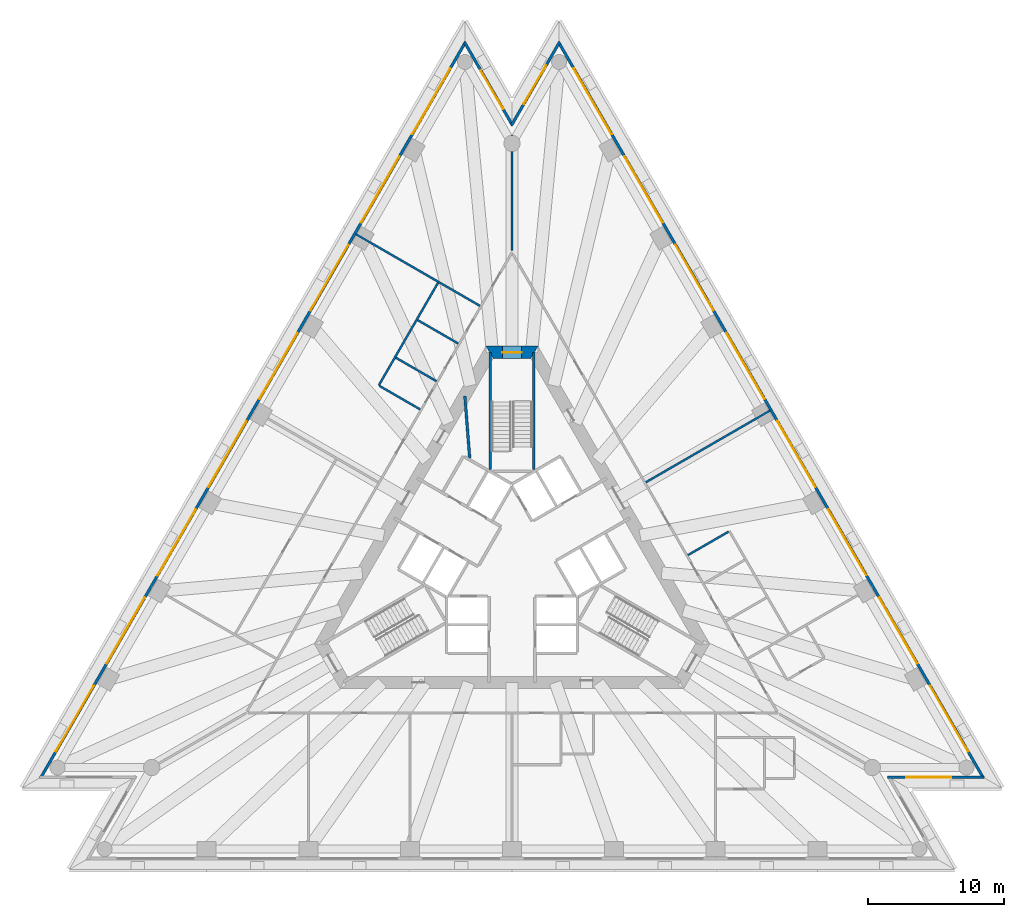
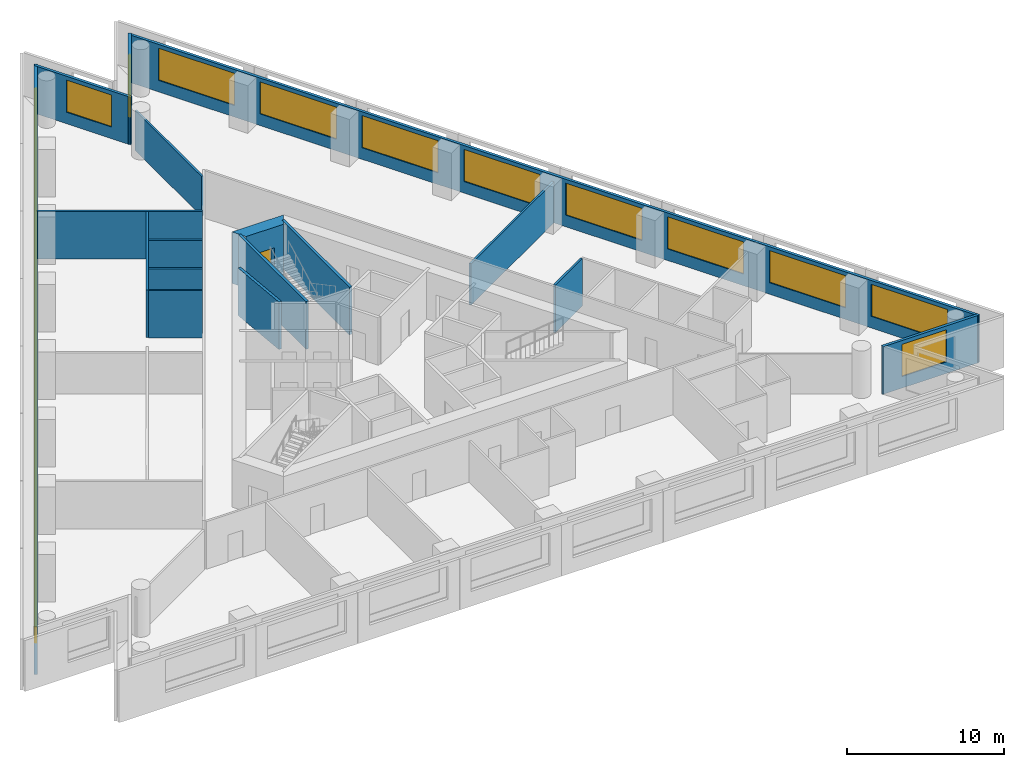
# One storey, part 6 of 9: 19 windows, 17 walls, 1 door, 20 openings.
"""IFC4 building model written with IfcOpenShell, lengths in metres."""

import ifcopenshell
import ifcopenshell.guid

model = None  # the IFC model being written
_history = None  # IfcOwnerHistory: only IFC2X3 demands one
_inside = {}  # id of a spatial element -> (the spatial element, [elements in it])
_under = {}  # id of a project, library or spatial element -> (it, [spatial elements below it])
_declared = {}  # id of a project -> (the project, [libraries it declares])
_typed = {}  # id of a type object -> (the type object, [elements of that type])
_made_of = {}  # id of a material, layer set ... -> (it, [elements and type objects made of it])


def new_model(schema):
    """Start an empty IFC model of exactly this schema.

    Asked for "IFC4X3", IfcOpenShell would pick the latest addendum, in which some entities
    have other attributes; the version numbers below select the first issue.
    IFC2X3 requires an IfcOwnerHistory on every rooted entity: one is made here for all.
    """
    global model, _history
    if schema == "IFC4X3":
        model = ifcopenshell.file(schema_version=(4, 3, 0, 0))
    else:
        model = ifcopenshell.file(schema=schema)
    _inside.clear()
    _under.clear()
    _declared.clear()
    _typed.clear()
    _made_of.clear()
    _history = None
    if model.schema == "IFC2X3":
        org = make("IfcOrganization", Name="unknown")
        user = make(
            "IfcPersonAndOrganization",
            ThePerson=make("IfcPerson", FamilyName="unknown"),
            TheOrganization=org,
        )
        app = make(
            "IfcApplication",
            ApplicationDeveloper=org,
            Version="unknown",
            ApplicationFullName="unknown",
            ApplicationIdentifier="unknown",
        )
        _history = make(
            "IfcOwnerHistory",
            OwningUser=user,
            OwningApplication=app,
            ChangeAction="ADDED",
            CreationDate=0,
        )
    return model


def make(cls, **values):
    """One entity of the class cls with the attributes given. An attribute that is None is left unset."""
    return model.create_entity(
        cls, **{name: value for name, value in values.items() if value is not None}
    )


def rooted(cls, **values):
    """An entity with a GlobalId (a new one), such as an element, a storey or a relation."""
    return make(cls, GlobalId=ifcopenshell.guid.new(), OwnerHistory=_history, **values)


def si_unit(unit_type, name, prefix=None):
    """IfcSIUnit, for example si_unit("LENGTHUNIT", "METRE", prefix="MILLI")."""
    return make("IfcSIUnit", UnitType=unit_type, Prefix=prefix, Name=name)


def assignment(units):
    """IfcUnitAssignment: the units of a project."""
    return None if units is None else make("IfcUnitAssignment", Units=units)


def point(xyz):
    """IfcCartesianPoint."""
    return None if xyz is None else make("IfcCartesianPoint", Coordinates=xyz)


def direction(xyz):
    """IfcDirection."""
    return None if xyz is None else make("IfcDirection", DirectionRatios=xyz)


def frame(location, z_axis=None, x_axis=None):
    """IfcAxis2Placement3D, a coordinate frame: its origin and axes. An axis left out is left unset."""
    return make(
        "IfcAxis2Placement3D",
        Location=point(location),
        Axis=direction(z_axis),
        RefDirection=direction(x_axis),
    )


def frame_2d(location, x_axis=None):
    """IfcAxis2Placement2D, a coordinate frame in the plane: its origin and x axis."""
    return make(
        "IfcAxis2Placement2D", Location=point(location), RefDirection=direction(x_axis)
    )


def origin():
    """The frame at (0, 0, 0) with its axes left unset."""
    return frame((0.0, 0.0, 0.0))


def place(relative_to, where):
    """IfcLocalPlacement: puts the frame where relative to a parent placement (None: the world)."""
    return make(
        "IfcLocalPlacement", PlacementRelTo=relative_to, RelativePlacement=where
    )


def context(
    kind, dimensions, precision=None, world=None, true_north=None, identifier=None
):
    """IfcGeometricRepresentationContext, for example the 3D "Model" context."""
    return make(
        "IfcGeometricRepresentationContext",
        ContextIdentifier=identifier,
        ContextType=kind,
        CoordinateSpaceDimension=dimensions,
        Precision=precision,
        WorldCoordinateSystem=world,
        TrueNorth=true_north,
    )


def subcontext(parent, identifier, kind, view, scale=None):
    """IfcGeometricRepresentationSubContext, for example "Body" below "Model"."""
    return make(
        "IfcGeometricRepresentationSubContext",
        ContextIdentifier=identifier,
        ContextType=kind,
        ParentContext=parent,
        TargetScale=scale,
        TargetView=view,
    )


def project(units=None, contexts=None):
    """IfcProject with its units and contexts."""
    return rooted(
        "IfcProject",
        Name="project",
        RepresentationContexts=contexts,
        UnitsInContext=assignment(units),
    )


def spatial(cls, under=None, at=None, **own):
    """A site, building, storey or space (cls), placed at a placement, below another one or the project."""
    s = rooted(cls, ObjectPlacement=at, **own)
    if under is not None:
        _under.setdefault(under.id(), (under, []))[1].append(s)
    return s


def polyline(points):
    """IfcPolyline through the points."""
    return make("IfcPolyline", Points=[point(p) for p in points])


def profile(cls, at=None, kind="AREA", **sizes):
    """A parametric profile (cls). Its sizes go by their IFC names, for example OverallWidth=200.0."""
    return make(cls, ProfileType=kind, Position=at, **sizes)


def rectangle(**sizes):
    """IfcRectangleProfileDef."""
    return profile("IfcRectangleProfileDef", **sizes)


def outline(outer, holes=None, kind="AREA"):
    """IfcArbitraryClosedProfileDef: a profile drawn as a closed curve; with holes, ...WithVoids."""
    if holes is None:
        return make("IfcArbitraryClosedProfileDef", ProfileType=kind, OuterCurve=outer)
    return make(
        "IfcArbitraryProfileDefWithVoids",
        ProfileType=kind,
        OuterCurve=outer,
        InnerCurves=holes,
    )


def extrude(swept, where, along, depth):
    """IfcExtrudedAreaSolid: the profile swept, set in the frame where, extruded along a direction by depth."""
    return make(
        "IfcExtrudedAreaSolid",
        SweptArea=swept,
        Position=where,
        ExtrudedDirection=direction(along),
        Depth=depth,
    )


def shape(context_of_items, identifier, shape_type, items):
    """IfcShapeRepresentation: the items that make up one representation, for example the "Body"."""
    return make(
        "IfcShapeRepresentation",
        ContextOfItems=context_of_items,
        RepresentationIdentifier=identifier,
        RepresentationType=shape_type,
        Items=items,
    )


def material(Name=None, Category=None):
    """IfcMaterial."""
    return make("IfcMaterial", Name=Name, Category=Category)


def layer(
    of_material, thickness, ventilated=None, Name=None, Category=None, Priority=None
):
    """IfcMaterialLayer: one layer of a wall or slab, of a material (None: an air gap)."""
    return make(
        "IfcMaterialLayer",
        Material=of_material,
        LayerThickness=thickness,
        IsVentilated=ventilated,
        Name=Name,
        Category=Category,
        Priority=Priority,
    )


def layer_set(layers, Name=None):
    """IfcMaterialLayerSet."""
    return make("IfcMaterialLayerSet", MaterialLayers=layers, LayerSetName=Name)


def layer_usage(for_layer_set, set_direction, sense, offset, extent=None):
    """IfcMaterialLayerSetUsage: how a layer set lies in its element."""
    return make(
        "IfcMaterialLayerSetUsage",
        ForLayerSet=for_layer_set,
        LayerSetDirection=set_direction,
        DirectionSense=sense,
        OffsetFromReferenceLine=offset,
        ReferenceExtent=extent,
    )


def made_of(thing, what):
    """Note that an element or type object is made of a material, layer set ...; save() writes the relation."""
    if what is not None:
        _made_of.setdefault(what.id(), (what, []))[1].append(thing)
    return thing


def type_object(cls, material=None, **own):
    """A type object (cls), such as IfcWallType, which elements share."""
    return made_of(rooted(cls, **own), material)


def element(
    cls,
    number,
    at=None,
    inside=None,
    cuts=None,
    type_object=None,
    material=None,
    context=None,
    identifier="Body",
    shape_type=None,
    held_by="IfcProductDefinitionShape",
    body=None,
    shapes=None,
    **own,
):
    """One element of the class cls, such as IfcWall. Its Tag is "e" and its number.

    at: its placement. inside: the storey or other place that contains it. cuts: it is an
    opening in that element (IfcRelVoidsElement). A single representation is given by context,
    identifier, shape_type and body (its items); several are given by shapes. held_by: the class
    of the entity that holds the representations. save() writes the other relations.
    """
    e = rooted(cls, Tag="e%d" % number, ObjectPlacement=at, **own)
    if body is not None:
        shapes = [shape(context, identifier, shape_type, body)]
    if shapes is not None:
        e.Representation = make(held_by, Representations=shapes)
    if inside is not None:
        _inside.setdefault(inside.id(), (inside, []))[1].append(e)
    if cuts is not None:
        rooted(
            "IfcRelVoidsElement", RelatingBuildingElement=cuts, RelatedOpeningElement=e
        )
    if type_object is not None:
        _typed.setdefault(type_object.id(), (type_object, []))[1].append(e)
    return made_of(e, material)


def fill(opening, filler):
    """IfcRelFillsElement: the door or window that sits in an opening."""
    return rooted(
        "IfcRelFillsElement",
        RelatingOpeningElement=opening,
        RelatedBuildingElement=filler,
    )


def aggregate(whole, parts):
    """IfcRelAggregates: a whole, such as a stair, and the parts it consists of."""
    return rooted("IfcRelAggregates", RelatingObject=whole, RelatedObjects=parts)


def save(model, path):
    """Write the relations noted so far, then the file.

    IfcRelAggregates (storeys below a building ...), IfcRelContainedInSpatialStructure (elements
    in a storey), IfcRelDefinesByType, IfcRelAssociatesMaterial and IfcRelDeclares: one each for
    every whole, place, type object, material and project.
    """
    for whole, parts in _under.values():
        aggregate(whole, parts)
    for where, things in _inside.values():
        rooted(
            "IfcRelContainedInSpatialStructure",
            RelatedElements=things,
            RelatingStructure=where,
        )
    for kind, things in _typed.values():
        rooted("IfcRelDefinesByType", RelatedObjects=things, RelatingType=kind)
    for what, things in _made_of.values():
        rooted("IfcRelAssociatesMaterial", RelatedObjects=things, RelatingMaterial=what)
    for by, libraries in _declared.values():
        rooted("IfcRelDeclares", RelatingContext=by, RelatedDefinitions=libraries)
    model.write(path)


model = new_model("IFC4")

# Units and contexts
model_context = context("Model", 3, precision=1e-05, world=origin(), true_north=direction((0.0, 1.0)))
body_context = subcontext(model_context, "Body", "Model", "MODEL_VIEW")
ifc_project = project(units=[si_unit("LENGTHUNIT", "METRE"), si_unit("AREAUNIT", "SQUARE_METRE"), si_unit("VOLUMEUNIT", "CUBIC_METRE"), si_unit("PLANEANGLEUNIT", "RADIAN"), si_unit("MASSUNIT", "GRAM", prefix="KILO")], contexts=[model_context])

# Site, building, storey
site_placement = place(None, origin())
site = spatial("IfcSite", under=ifc_project, at=site_placement, CompositionType="ELEMENT")
building_placement = place(site_placement, origin())
building = spatial("IfcBuilding", under=site, at=building_placement, Name="Triada Interchange Tower", CompositionType="ELEMENT")
storey_placement = place(building_placement, frame((0.0, 0.0, 55.300048828125)))
storey = spatial("IfcBuildingStorey", under=building, at=storey_placement, Name="L11", CompositionType="ELEMENT", Elevation=55.300048828125)

# Walls
ifc_material_1 = material(Name="Concrete C30/37", Category="concrete")
ifc_layer_1 = layer(ifc_material_1, 0.199951171875)
ifc_layer_set_1 = layer_set([ifc_layer_1], Name="CORE WALL 200 EI 90")
wall_type_1 = type_object("IfcWallType", Name="CORE WALL 200 EI 90", PredefinedType="SOLIDWALL", material=ifc_layer_set_1)
wall_1_placement = place(storey_placement, frame((-3.470947265625, 12.048095703125, 0.0), z_axis=(0.0, 0.0, 1.0), x_axis=(0.077900012222, -0.996961176825, 0.0)))
element("IfcWall", 1, at=wall_1_placement, inside=storey, type_object=wall_type_1, Name="Wall L09 74", PredefinedType="SOLIDWALL", context=body_context, shape_type="SweptSolid", body=[
    extrude(rectangle(XDim=4.60693359375, YDim=0.199951171875, at=frame_2d((2.303466796875, 0.0))), origin(), (0.0, 0.0, 1.0), 3.699951171875),
])
ifc_layer_2 = layer(ifc_material_1, 0.199951171875)
ifc_layer_set_2 = layer_set([ifc_layer_2], Name="CORE WALL 200 REI 240")
wall_type_2 = type_object("IfcWallType", Name="CORE WALL 200 REI 240", PredefinedType="SOLIDWALL", material=ifc_layer_set_2)
for number, where, z_axis, x_axis, name in (
    (2, (1.60009765625, 6.614990234375, 0.0), (0.0, 0.0, 1.0), (0.0, 1.0, 0.0), "Wall L09 78"),
    (3, (-1.60009765625, 6.614990234375, 0.0), (0.0, 0.0, 1.0), (0.0, 1.0, 0.0), "Wall L09 80"),
):
    element("IfcWall", number, at=place(storey_placement, frame(where, z_axis=z_axis, x_axis=x_axis)), inside=storey, type_object=wall_type_2, Name=name, PredefinedType="SOLIDWALL", context=body_context, shape_type="SweptSolid", body=[
        extrude(rectangle(XDim=8.614990234375, YDim=0.199951171875, at=frame_2d((4.3076171875, 0.0))), origin(), (0.0, 0.0, 1.0), 3.699951171875),
    ])

# Wall, opening, door
ifc_material_2 = material(Name="Concrete C70/85", Category="concrete")
ifc_layer_3 = layer(ifc_material_2, 0.89990234375)
ifc_layer_set_3 = layer_set([ifc_layer_3], Name="Core wall A 900")
wall_type_3 = type_object("IfcWallType", Name="Core wall A 900", PredefinedType="SHEAR", material=ifc_layer_set_3)
wall_2_placement = place(storey_placement, frame((1.64501953125, 15.25, -0.300048828125), z_axis=(0.0, 0.0, 1.0), x_axis=(-1.0, 0.0, 0.0)))
wall_2 = element("IfcWall", 4, at=wall_2_placement, inside=storey, type_object=wall_type_3, Name="Core wall WA01 L11", PredefinedType="SHEAR", context=body_context, shape_type="SweptSolid", body=[
    extrude(outline(polyline([(-0.260009765625, -0.449951171875), (1.64501953125, -0.449951171875), (3.550048828125, -0.449951171875), (3.031005859375, 0.449951171875), (1.64501953125, 0.449951171875), (0.259033203125, 0.449951171875), (-0.260009765625, -0.449951171875)])), origin(), (0.0, 0.0, 1.0), 4.0),
])
opening_1_placement = place(wall_2_placement, frame((0.945068359375, 0.0, 0.300048828125)))
opening_1 = element("IfcOpeningElement", 5, at=opening_1_placement, cuts=wall_2, Name="Opening D09-36", PredefinedType="OPENING", context=body_context, shape_type="SweptSolid", body=[
    extrude(rectangle(XDim=1.39990234375, YDim=2.10009765625, at=frame_2d((0.699951171875, 1.050048828125))), frame((0.0, 0.4599609375, 0.0), z_axis=(0.0, -1.0, 0.0), x_axis=(1.0, 0.0, 0.0)), (0.0, 0.0, 1.0), 0.919921875),
])
ifc_material_3 = material(Name="Steel S235 door leaf", Category="steel")
door_type = type_object("IfcDoorType", Name="STAIR DOOR 1400 EI2 90-C5S200", OperationType="DOUBLE_DOOR_SINGLE_SWING", PredefinedType="DOOR", material=ifc_material_3)
door_placement = place(opening_1_placement, origin())
door = element("IfcDoor", 6, at=door_placement, inside=storey, type_object=door_type, Name="Door D09-36 L11", OperationType="DOUBLE_DOOR_SINGLE_SWING", OverallHeight=2.10009765625, OverallWidth=1.39990234375, PredefinedType="DOOR", context=body_context, shape_type="SweptSolid", body=[
    extrude(rectangle(XDim=1.39990234375, YDim=2.10009765625, at=frame_2d((0.699951171875, 1.050048828125))), frame((0.0, 0.02490234375, 0.0), z_axis=(0.0, -1.0, 0.0), x_axis=(1.0, 0.0, 0.0)), (0.0, 0.0, 1.0), 0.050048828125),
])
fill(opening_1, door)

# Wall, openings, windows
ifc_material_4 = material(Name="Cement board")
ifc_layer_4 = layer(ifc_material_4, 0.02001953125, Name="Cement board cladding")
ifc_material_5 = material(Name="Sheathing board")
ifc_layer_5 = layer(ifc_material_5, 0.014892578125, Name="Sheathing board")
ifc_material_6 = material(Name="Mineral wool")
ifc_layer_6 = layer(ifc_material_6, 0.14990234375, Name="Mineral wool between steel studs")
ifc_material_7 = material(Name="Gypsum board")
ifc_layer_7 = layer(ifc_material_7, 0.014892578125, Name="Plasterboard lining")
ifc_layer_set_4 = layer_set([ifc_layer_4, ifc_layer_5, ifc_layer_6, ifc_layer_7], Name="External wall 200")
ifc_layer_usage = layer_usage(ifc_layer_set_4, "AXIS2", "POSITIVE", -0.10009765625)
wall_type_4 = type_object("IfcWallType", Name="External wall 200", PredefinedType="ELEMENTEDWALL", material=ifc_layer_set_4)
wall_3_placement = place(storey_placement, frame((-3.4169921875, 38.095947265625, 0.0), z_axis=(0.0, 0.0, 1.0), x_axis=(-0.500000412988, -0.866025165346, 0.0)))
wall_3 = element("IfcWall", 7, at=wall_3_placement, inside=storey, type_object=wall_type_4, material=ifc_layer_usage, Name="External wall L11 NW", PredefinedType="ELEMENTEDWALL", context=body_context, shape_type="SweptSolid", body=[
    extrude(rectangle(XDim=62.5478515625, YDim=0.199951171875, at=frame_2d((31.27392578125, 0.0))), origin(), (0.0, 0.0, 1.0), 3.699951171875),
])
opening_2_placement = place(wall_3_placement, frame((2.25, 0.0, 0.89990234375)))
opening_2 = element("IfcOpeningElement", 8, at=opening_2_placement, cuts=wall_3, Name="Opening WA01", PredefinedType="OPENING", context=body_context, shape_type="SweptSolid", body=[
    extrude(rectangle(XDim=5.60009765625, YDim=2.5, at=frame_2d((2.800048828125, 1.25))), frame((0.0, 0.10986328125, 0.0), z_axis=(0.0, -1.0, 0.0), x_axis=(1.0, 0.0, 0.0)), (0.0, 0.0, 1.0), 0.219970703125),
])
opening_3_placement = place(wall_3_placement, frame((9.7451171875, 0.0, 0.89990234375)))
opening_3 = element("IfcOpeningElement", 9, at=opening_3_placement, cuts=wall_3, Name="Opening WA02", PredefinedType="OPENING", context=body_context, shape_type="SweptSolid", body=[
    extrude(rectangle(XDim=5.60009765625, YDim=2.5, at=frame_2d((2.800048828125, 1.25))), frame((0.0, 0.10986328125, 0.0), z_axis=(0.0, -1.0, 0.0), x_axis=(1.0, 0.0, 0.0)), (0.0, 0.0, 1.0), 0.219970703125),
])
opening_4_placement = place(wall_3_placement, frame((17.240966796875, 0.0, 0.89990234375)))
opening_4 = element("IfcOpeningElement", 10, at=opening_4_placement, cuts=wall_3, Name="Opening WA03", PredefinedType="OPENING", context=body_context, shape_type="SweptSolid", body=[
    extrude(rectangle(XDim=5.60009765625, YDim=2.5, at=frame_2d((2.800048828125, 1.25))), frame((0.0, 0.10986328125, 0.0), z_axis=(0.0, -1.0, 0.0), x_axis=(1.0, 0.0, 0.0)), (0.0, 0.0, 1.0), 0.219970703125),
])
opening_5_placement = place(wall_3_placement, frame((24.736083984375, 0.0, 0.89990234375)))
opening_5 = element("IfcOpeningElement", 11, at=opening_5_placement, cuts=wall_3, Name="Opening WA04", PredefinedType="OPENING", context=body_context, shape_type="SweptSolid", body=[
    extrude(rectangle(XDim=5.60009765625, YDim=2.5, at=frame_2d((2.800048828125, 1.25))), frame((0.0, 0.10986328125, 0.0), z_axis=(0.0, -1.0, 0.0), x_axis=(1.0, 0.0, 0.0)), (0.0, 0.0, 1.0), 0.219970703125),
])
opening_6_placement = place(wall_3_placement, frame((32.23095703125, 0.0, 0.89990234375)))
opening_6 = element("IfcOpeningElement", 12, at=opening_6_placement, cuts=wall_3, Name="Opening WA05", PredefinedType="OPENING", context=body_context, shape_type="SweptSolid", body=[
    extrude(rectangle(XDim=5.60009765625, YDim=2.5, at=frame_2d((2.800048828125, 1.25))), frame((0.0, 0.10986328125, 0.0), z_axis=(0.0, -1.0, 0.0), x_axis=(1.0, 0.0, 0.0)), (0.0, 0.0, 1.0), 0.219970703125),
])
opening_7_placement = place(wall_3_placement, frame((39.72705078125, 0.0, 0.89990234375)))
opening_7 = element("IfcOpeningElement", 13, at=opening_7_placement, cuts=wall_3, Name="Opening WA06", PredefinedType="OPENING", context=body_context, shape_type="SweptSolid", body=[
    extrude(rectangle(XDim=5.60009765625, YDim=2.5, at=frame_2d((2.800048828125, 1.25))), frame((0.0, 0.10986328125, 0.0), z_axis=(0.0, -1.0, 0.0), x_axis=(1.0, 0.0, 0.0)), (0.0, 0.0, 1.0), 0.219970703125),
])
opening_8_placement = place(wall_3_placement, frame((47.221923828125, 0.0, 0.89990234375)))
opening_8 = element("IfcOpeningElement", 14, at=opening_8_placement, cuts=wall_3, Name="Opening WA07", PredefinedType="OPENING", context=body_context, shape_type="SweptSolid", body=[
    extrude(rectangle(XDim=5.60009765625, YDim=2.5, at=frame_2d((2.800048828125, 1.25))), frame((0.0, 0.10986328125, 0.0), z_axis=(0.0, -1.0, 0.0), x_axis=(1.0, 0.0, 0.0)), (0.0, 0.0, 1.0), 0.219970703125),
])
opening_9_placement = place(wall_3_placement, frame((54.717041015625, 0.0, 0.89990234375)))
opening_9 = element("IfcOpeningElement", 15, at=opening_9_placement, cuts=wall_3, Name="Opening WA08", PredefinedType="OPENING", context=body_context, shape_type="SweptSolid", body=[
    extrude(rectangle(XDim=5.60009765625, YDim=2.5, at=frame_2d((2.800048828125, 1.25))), frame((0.0, 0.10986328125, 0.0), z_axis=(0.0, -1.0, 0.0), x_axis=(1.0, 0.0, 0.0)), (0.0, 0.0, 1.0), 0.219970703125),
])
ifc_material_8 = material(Name="Double glazed aluminium window", Category="aluminium")
window_type_1 = type_object("IfcWindowType", Name="Ribbon window A face", PartitioningType="SINGLE_PANEL", PredefinedType="WINDOW", material=ifc_material_8)
window_1_placement = place(opening_2_placement, origin())
window_1 = element("IfcWindow", 16, at=window_1_placement, inside=storey, type_object=window_type_1, Name="Window L11 NW 1", OverallHeight=2.5, OverallWidth=5.60009765625, PartitioningType="SINGLE_PANEL", PredefinedType="WINDOW", context=body_context, shape_type="SweptSolid", body=[
    extrude(rectangle(XDim=5.60009765625, YDim=2.5, at=frame_2d((2.800048828125, 1.25))), frame((0.0, 0.030029296875, 0.0), z_axis=(0.0, -1.0, 0.0), x_axis=(1.0, 0.0, 0.0)), (0.0, 0.0, 1.0), 0.06005859375),
])
fill(opening_2, window_1)
window_2_placement = place(opening_3_placement, origin())
window_2 = element("IfcWindow", 17, at=window_2_placement, inside=storey, type_object=window_type_1, Name="Window L11 NW 2", OverallHeight=2.5, OverallWidth=5.60009765625, PartitioningType="SINGLE_PANEL", PredefinedType="WINDOW", context=body_context, shape_type="SweptSolid", body=[
    extrude(rectangle(XDim=5.60009765625, YDim=2.5, at=frame_2d((2.800048828125, 1.25))), frame((0.0, 0.030029296875, 0.0), z_axis=(0.0, -1.0, 0.0), x_axis=(1.0, 0.0, 0.0)), (0.0, 0.0, 1.0), 0.06005859375),
])
fill(opening_3, window_2)
window_3_placement = place(opening_4_placement, origin())
window_3 = element("IfcWindow", 18, at=window_3_placement, inside=storey, type_object=window_type_1, Name="Window L11 NW 3", OverallHeight=2.5, OverallWidth=5.60009765625, PartitioningType="SINGLE_PANEL", PredefinedType="WINDOW", context=body_context, shape_type="SweptSolid", body=[
    extrude(rectangle(XDim=5.60009765625, YDim=2.5, at=frame_2d((2.800048828125, 1.25))), frame((0.0, 0.030029296875, 0.0), z_axis=(0.0, -1.0, 0.0), x_axis=(1.0, 0.0, 0.0)), (0.0, 0.0, 1.0), 0.06005859375),
])
fill(opening_4, window_3)
window_4_placement = place(opening_5_placement, origin())
window_4 = element("IfcWindow", 19, at=window_4_placement, inside=storey, type_object=window_type_1, Name="Window L11 NW 4", OverallHeight=2.5, OverallWidth=5.60009765625, PartitioningType="SINGLE_PANEL", PredefinedType="WINDOW", context=body_context, shape_type="SweptSolid", body=[
    extrude(rectangle(XDim=5.60009765625, YDim=2.5, at=frame_2d((2.800048828125, 1.25))), frame((0.0, 0.030029296875, 0.0), z_axis=(0.0, -1.0, 0.0), x_axis=(1.0, 0.0, 0.0)), (0.0, 0.0, 1.0), 0.06005859375),
])
fill(opening_5, window_4)
window_5_placement = place(opening_6_placement, origin())
window_5 = element("IfcWindow", 20, at=window_5_placement, inside=storey, type_object=window_type_1, Name="Window L11 NW 5", OverallHeight=2.5, OverallWidth=5.60009765625, PartitioningType="SINGLE_PANEL", PredefinedType="WINDOW", context=body_context, shape_type="SweptSolid", body=[
    extrude(rectangle(XDim=5.60009765625, YDim=2.5, at=frame_2d((2.800048828125, 1.25))), frame((0.0, 0.030029296875, 0.0), z_axis=(0.0, -1.0, 0.0), x_axis=(1.0, 0.0, 0.0)), (0.0, 0.0, 1.0), 0.06005859375),
])
fill(opening_6, window_5)
window_6_placement = place(opening_7_placement, origin())
window_6 = element("IfcWindow", 21, at=window_6_placement, inside=storey, type_object=window_type_1, Name="Window L11 NW 6", OverallHeight=2.5, OverallWidth=5.60009765625, PartitioningType="SINGLE_PANEL", PredefinedType="WINDOW", context=body_context, shape_type="SweptSolid", body=[
    extrude(rectangle(XDim=5.60009765625, YDim=2.5, at=frame_2d((2.800048828125, 1.25))), frame((0.0, 0.030029296875, 0.0), z_axis=(0.0, -1.0, 0.0), x_axis=(1.0, 0.0, 0.0)), (0.0, 0.0, 1.0), 0.06005859375),
])
fill(opening_7, window_6)
window_7_placement = place(opening_8_placement, origin())
window_7 = element("IfcWindow", 22, at=window_7_placement, inside=storey, type_object=window_type_1, Name="Window L11 NW 7", OverallHeight=2.5, OverallWidth=5.60009765625, PartitioningType="SINGLE_PANEL", PredefinedType="WINDOW", context=body_context, shape_type="SweptSolid", body=[
    extrude(rectangle(XDim=5.60009765625, YDim=2.5, at=frame_2d((2.800048828125, 1.25))), frame((0.0, 0.030029296875, 0.0), z_axis=(0.0, -1.0, 0.0), x_axis=(1.0, 0.0, 0.0)), (0.0, 0.0, 1.0), 0.06005859375),
])
fill(opening_8, window_7)
window_8_placement = place(opening_9_placement, origin())
window_8 = element("IfcWindow", 23, at=window_8_placement, inside=storey, type_object=window_type_1, Name="Window L11 NW 8", OverallHeight=2.5, OverallWidth=5.60009765625, PartitioningType="SINGLE_PANEL", PredefinedType="WINDOW", context=body_context, shape_type="SweptSolid", body=[
    extrude(rectangle(XDim=5.60009765625, YDim=2.5, at=frame_2d((2.800048828125, 1.25))), frame((0.0, 0.030029296875, 0.0), z_axis=(0.0, -1.0, 0.0), x_axis=(1.0, 0.0, 0.0)), (0.0, 0.0, 1.0), 0.06005859375),
])
fill(opening_9, window_8)

# Wall, opening, window
wall_4_placement = place(storey_placement, frame((27.64208984375, -16.010986328125, 0.0), z_axis=(0.0, 0.0, 1.0), x_axis=(1.0, 0.0, 0.0)))
wall_4 = element("IfcWall", 24, at=wall_4_placement, inside=storey, type_object=wall_type_4, material=ifc_layer_usage, Name="External wall L11 SE-2", PredefinedType="ELEMENTEDWALL", context=body_context, shape_type="SweptSolid", body=[
    extrude(rectangle(XDim=7.083984375, YDim=0.199951171875, at=frame_2d((3.5419921875, 0.0))), origin(), (0.0, 0.0, 1.0), 3.699951171875),
])
opening_10_placement = place(wall_4_placement, frame((1.389892578125, 0.0, 0.89990234375)))
opening_10 = element("IfcOpeningElement", 25, at=opening_10_placement, cuts=wall_4, Name="Opening WA20", PredefinedType="OPENING", context=body_context, shape_type="SweptSolid", body=[
    extrude(rectangle(XDim=3.300048828125, YDim=2.5, at=frame_2d((1.64990234375, 1.25))), frame((0.0, 0.10986328125, 0.0), z_axis=(0.0, -1.0, 0.0), x_axis=(1.0, 0.0, 0.0)), (0.0, 0.0, 1.0), 0.219970703125),
])
window_type_2 = type_object("IfcWindowType", Name="Ribbon window A pocket", PartitioningType="SINGLE_PANEL", PredefinedType="WINDOW", material=ifc_material_8)
window_9_placement = place(opening_10_placement, origin())
window_9 = element("IfcWindow", 26, at=window_9_placement, inside=storey, type_object=window_type_2, Name="Window L11 SE-2 1", OverallHeight=2.5, OverallWidth=3.300048828125, PartitioningType="SINGLE_PANEL", PredefinedType="WINDOW", context=body_context, shape_type="SweptSolid", body=[
    extrude(rectangle(XDim=3.300048828125, YDim=2.5, at=frame_2d((1.64990234375, 1.25))), frame((0.0, 0.030029296875, 0.0), z_axis=(0.0, -1.0, 0.0), x_axis=(1.0, 0.0, 0.0)), (0.0, 0.0, 1.0), 0.06005859375),
])
fill(opening_10, window_9)

# Wall, openings, windows
wall_5_placement = place(storey_placement, frame((34.700927734375, -16.089111328125, 0.0), z_axis=(0.0, 0.0, 1.0), x_axis=(-0.499998722828, 0.866026141159, 0.0)))
wall_5 = element("IfcWall", 27, at=wall_5_placement, inside=storey, type_object=wall_type_4, material=ifc_layer_usage, Name="External wall L11 NE", PredefinedType="ELEMENTEDWALL", context=body_context, shape_type="SweptSolid", body=[
    extrude(rectangle(XDim=62.548095703125, YDim=0.199951171875, at=frame_2d((31.27392578125, 0.0))), origin(), (0.0, 0.0, 1.0), 3.699951171875),
])
opening_11_placement = place(wall_5_placement, frame((2.25, 0.0, 0.89990234375)))
opening_11 = element("IfcOpeningElement", 28, at=opening_11_placement, cuts=wall_5, Name="Opening WA21", PredefinedType="OPENING", context=body_context, shape_type="SweptSolid", body=[
    extrude(rectangle(XDim=5.60009765625, YDim=2.5, at=frame_2d((2.800048828125, 1.25))), frame((0.0, 0.10986328125, 0.0), z_axis=(0.0, -1.0, 0.0), x_axis=(1.0, 0.0, 0.0)), (0.0, 0.0, 1.0), 0.219970703125),
])
opening_12_placement = place(wall_5_placement, frame((9.74609375, 0.0, 0.89990234375)))
opening_12 = element("IfcOpeningElement", 29, at=opening_12_placement, cuts=wall_5, Name="Opening WA22", PredefinedType="OPENING", context=body_context, shape_type="SweptSolid", body=[
    extrude(rectangle(XDim=5.60009765625, YDim=2.5, at=frame_2d((2.800048828125, 1.25))), frame((0.0, 0.10986328125, 0.0), z_axis=(0.0, -1.0, 0.0), x_axis=(1.0, 0.0, 0.0)), (0.0, 0.0, 1.0), 0.219970703125),
])
opening_13_placement = place(wall_5_placement, frame((17.240966796875, 0.0, 0.89990234375)))
opening_13 = element("IfcOpeningElement", 30, at=opening_13_placement, cuts=wall_5, Name="Opening WA23", PredefinedType="OPENING", context=body_context, shape_type="SweptSolid", body=[
    extrude(rectangle(XDim=5.60009765625, YDim=2.5, at=frame_2d((2.800048828125, 1.25))), frame((0.0, 0.10986328125, 0.0), z_axis=(0.0, -1.0, 0.0), x_axis=(1.0, 0.0, 0.0)), (0.0, 0.0, 1.0), 0.219970703125),
])
opening_14_placement = place(wall_5_placement, frame((24.736083984375, 0.0, 0.89990234375)))
opening_14 = element("IfcOpeningElement", 31, at=opening_14_placement, cuts=wall_5, Name="Opening WA24", PredefinedType="OPENING", context=body_context, shape_type="SweptSolid", body=[
    extrude(rectangle(XDim=5.60009765625, YDim=2.5, at=frame_2d((2.800048828125, 1.25))), frame((0.0, 0.10986328125, 0.0), z_axis=(0.0, -1.0, 0.0), x_axis=(1.0, 0.0, 0.0)), (0.0, 0.0, 1.0), 0.219970703125),
])
opening_15_placement = place(wall_5_placement, frame((32.23193359375, 0.0, 0.89990234375)))
opening_15 = element("IfcOpeningElement", 32, at=opening_15_placement, cuts=wall_5, Name="Opening WA25", PredefinedType="OPENING", context=body_context, shape_type="SweptSolid", body=[
    extrude(rectangle(XDim=5.60009765625, YDim=2.5, at=frame_2d((2.800048828125, 1.25))), frame((0.0, 0.10986328125, 0.0), z_axis=(0.0, -1.0, 0.0), x_axis=(1.0, 0.0, 0.0)), (0.0, 0.0, 1.0), 0.219970703125),
])
opening_16_placement = place(wall_5_placement, frame((39.72705078125, 0.0, 0.89990234375)))
opening_16 = element("IfcOpeningElement", 33, at=opening_16_placement, cuts=wall_5, Name="Opening WA26", PredefinedType="OPENING", context=body_context, shape_type="SweptSolid", body=[
    extrude(rectangle(XDim=5.60009765625, YDim=2.5, at=frame_2d((2.800048828125, 1.25))), frame((0.0, 0.10986328125, 0.0), z_axis=(0.0, -1.0, 0.0), x_axis=(1.0, 0.0, 0.0)), (0.0, 0.0, 1.0), 0.219970703125),
])
opening_17_placement = place(wall_5_placement, frame((47.221923828125, 0.0, 0.89990234375)))
opening_17 = element("IfcOpeningElement", 34, at=opening_17_placement, cuts=wall_5, Name="Opening WA27", PredefinedType="OPENING", context=body_context, shape_type="SweptSolid", body=[
    extrude(rectangle(XDim=5.60009765625, YDim=2.5, at=frame_2d((2.800048828125, 1.25))), frame((0.0, 0.10986328125, 0.0), z_axis=(0.0, -1.0, 0.0), x_axis=(1.0, 0.0, 0.0)), (0.0, 0.0, 1.0), 0.219970703125),
])
opening_18_placement = place(wall_5_placement, frame((54.717041015625, 0.0, 0.89990234375)))
opening_18 = element("IfcOpeningElement", 35, at=opening_18_placement, cuts=wall_5, Name="Opening WA28", PredefinedType="OPENING", context=body_context, shape_type="SweptSolid", body=[
    extrude(rectangle(XDim=5.60009765625, YDim=2.5, at=frame_2d((2.800048828125, 1.25))), frame((0.0, 0.10986328125, 0.0), z_axis=(0.0, -1.0, 0.0), x_axis=(1.0, 0.0, 0.0)), (0.0, 0.0, 1.0), 0.219970703125),
])
window_10_placement = place(opening_11_placement, origin())
window_10 = element("IfcWindow", 36, at=window_10_placement, inside=storey, type_object=window_type_1, Name="Window L11 NE 1", OverallHeight=2.5, OverallWidth=5.60009765625, PartitioningType="SINGLE_PANEL", PredefinedType="WINDOW", context=body_context, shape_type="SweptSolid", body=[
    extrude(rectangle(XDim=5.60009765625, YDim=2.5, at=frame_2d((2.800048828125, 1.25))), frame((0.0, 0.030029296875, 0.0), z_axis=(0.0, -1.0, 0.0), x_axis=(1.0, 0.0, 0.0)), (0.0, 0.0, 1.0), 0.06005859375),
])
fill(opening_11, window_10)
window_11_placement = place(opening_12_placement, origin())
window_11 = element("IfcWindow", 37, at=window_11_placement, inside=storey, type_object=window_type_1, Name="Window L11 NE 2", OverallHeight=2.5, OverallWidth=5.60009765625, PartitioningType="SINGLE_PANEL", PredefinedType="WINDOW", context=body_context, shape_type="SweptSolid", body=[
    extrude(rectangle(XDim=5.60009765625, YDim=2.5, at=frame_2d((2.800048828125, 1.25))), frame((0.0, 0.030029296875, 0.0), z_axis=(0.0, -1.0, 0.0), x_axis=(1.0, 0.0, 0.0)), (0.0, 0.0, 1.0), 0.06005859375),
])
fill(opening_12, window_11)
window_12_placement = place(opening_13_placement, origin())
window_12 = element("IfcWindow", 38, at=window_12_placement, inside=storey, type_object=window_type_1, Name="Window L11 NE 3", OverallHeight=2.5, OverallWidth=5.60009765625, PartitioningType="SINGLE_PANEL", PredefinedType="WINDOW", context=body_context, shape_type="SweptSolid", body=[
    extrude(rectangle(XDim=5.60009765625, YDim=2.5, at=frame_2d((2.800048828125, 1.25))), frame((0.0, 0.030029296875, 0.0), z_axis=(0.0, -1.0, 0.0), x_axis=(1.0, 0.0, 0.0)), (0.0, 0.0, 1.0), 0.06005859375),
])
fill(opening_13, window_12)
window_13_placement = place(opening_14_placement, origin())
window_13 = element("IfcWindow", 39, at=window_13_placement, inside=storey, type_object=window_type_1, Name="Window L11 NE 4", OverallHeight=2.5, OverallWidth=5.60009765625, PartitioningType="SINGLE_PANEL", PredefinedType="WINDOW", context=body_context, shape_type="SweptSolid", body=[
    extrude(rectangle(XDim=5.60009765625, YDim=2.5, at=frame_2d((2.800048828125, 1.25))), frame((0.0, 0.030029296875, 0.0), z_axis=(0.0, -1.0, 0.0), x_axis=(1.0, 0.0, 0.0)), (0.0, 0.0, 1.0), 0.06005859375),
])
fill(opening_14, window_13)
window_14_placement = place(opening_15_placement, origin())
window_14 = element("IfcWindow", 40, at=window_14_placement, inside=storey, type_object=window_type_1, Name="Window L11 NE 5", OverallHeight=2.5, OverallWidth=5.60009765625, PartitioningType="SINGLE_PANEL", PredefinedType="WINDOW", context=body_context, shape_type="SweptSolid", body=[
    extrude(rectangle(XDim=5.60009765625, YDim=2.5, at=frame_2d((2.800048828125, 1.25))), frame((0.0, 0.030029296875, 0.0), z_axis=(0.0, -1.0, 0.0), x_axis=(1.0, 0.0, 0.0)), (0.0, 0.0, 1.0), 0.06005859375),
])
fill(opening_15, window_14)
window_15_placement = place(opening_16_placement, origin())
window_15 = element("IfcWindow", 41, at=window_15_placement, inside=storey, type_object=window_type_1, Name="Window L11 NE 6", OverallHeight=2.5, OverallWidth=5.60009765625, PartitioningType="SINGLE_PANEL", PredefinedType="WINDOW", context=body_context, shape_type="SweptSolid", body=[
    extrude(rectangle(XDim=5.60009765625, YDim=2.5, at=frame_2d((2.800048828125, 1.25))), frame((0.0, 0.030029296875, 0.0), z_axis=(0.0, -1.0, 0.0), x_axis=(1.0, 0.0, 0.0)), (0.0, 0.0, 1.0), 0.06005859375),
])
fill(opening_16, window_15)
window_16_placement = place(opening_17_placement, origin())
window_16 = element("IfcWindow", 42, at=window_16_placement, inside=storey, type_object=window_type_1, Name="Window L11 NE 7", OverallHeight=2.5, OverallWidth=5.60009765625, PartitioningType="SINGLE_PANEL", PredefinedType="WINDOW", context=body_context, shape_type="SweptSolid", body=[
    extrude(rectangle(XDim=5.60009765625, YDim=2.5, at=frame_2d((2.800048828125, 1.25))), frame((0.0, 0.030029296875, 0.0), z_axis=(0.0, -1.0, 0.0), x_axis=(1.0, 0.0, 0.0)), (0.0, 0.0, 1.0), 0.06005859375),
])
fill(opening_17, window_16)
window_17_placement = place(opening_18_placement, origin())
window_17 = element("IfcWindow", 43, at=window_17_placement, inside=storey, type_object=window_type_1, Name="Window L11 NE 8", OverallHeight=2.5, OverallWidth=5.60009765625, PartitioningType="SINGLE_PANEL", PredefinedType="WINDOW", context=body_context, shape_type="SweptSolid", body=[
    extrude(rectangle(XDim=5.60009765625, YDim=2.5, at=frame_2d((2.800048828125, 1.25))), frame((0.0, 0.030029296875, 0.0), z_axis=(0.0, -1.0, 0.0), x_axis=(1.0, 0.0, 0.0)), (0.0, 0.0, 1.0), 0.06005859375),
])
fill(opening_18, window_17)

# Wall, opening, window
wall_6_placement = place(storey_placement, frame((3.507080078125, 38.095947265625, 0.0), z_axis=(0.0, 0.0, 1.0), x_axis=(-0.499993928037, -0.866028909405, 0.0)))
wall_6 = element("IfcWall", 44, at=wall_6_placement, inside=storey, type_object=wall_type_4, material=ifc_layer_usage, Name="External wall L11 N-1", PredefinedType="ELEMENTEDWALL", context=body_context, shape_type="SweptSolid", body=[
    extrude(rectangle(XDim=7.083984375, YDim=0.199951171875, at=frame_2d((3.5419921875, 0.0))), origin(), (0.0, 0.0, 1.0), 3.699951171875),
])
opening_19_placement = place(wall_6_placement, frame((1.989990234375, 0.0, 0.89990234375)))
opening_19 = element("IfcOpeningElement", 45, at=opening_19_placement, cuts=wall_6, Name="Opening WA29", PredefinedType="OPENING", context=body_context, shape_type="SweptSolid", body=[
    extrude(rectangle(XDim=3.300048828125, YDim=2.5, at=frame_2d((1.64990234375, 1.25))), frame((0.0, 0.10986328125, 0.0), z_axis=(0.0, -1.0, 0.0), x_axis=(1.0, 0.0, 0.0)), (0.0, 0.0, 1.0), 0.219970703125),
])
window_18_placement = place(opening_19_placement, origin())
window_18 = element("IfcWindow", 46, at=window_18_placement, inside=storey, type_object=window_type_2, Name="Window L11 N-1 1", OverallHeight=2.5, OverallWidth=3.300048828125, PartitioningType="SINGLE_PANEL", PredefinedType="WINDOW", context=body_context, shape_type="SweptSolid", body=[
    extrude(rectangle(XDim=3.300048828125, YDim=2.5, at=frame_2d((1.64990234375, 1.25))), frame((0.0, 0.030029296875, 0.0), z_axis=(0.0, -1.0, 0.0), x_axis=(1.0, 0.0, 0.0)), (0.0, 0.0, 1.0), 0.06005859375),
])
fill(opening_19, window_18)

wall_7_placement = place(storey_placement, frame((0.044921875, 31.944091796875, 0.0), z_axis=(0.0, 0.0, 1.0), x_axis=(-0.499993928037, 0.866028909405, 0.0)))
wall_7 = element("IfcWall", 47, at=wall_7_placement, inside=storey, type_object=wall_type_4, material=ifc_layer_usage, Name="External wall L11 N-2", PredefinedType="ELEMENTEDWALL", context=body_context, shape_type="SweptSolid", body=[
    extrude(rectangle(XDim=7.083984375, YDim=0.199951171875, at=frame_2d((3.5419921875, 0.0))), origin(), (0.0, 0.0, 1.0), 3.699951171875),
])
opening_20_placement = place(wall_7_placement, frame((1.389892578125, 0.0, 0.89990234375)))
opening_20 = element("IfcOpeningElement", 48, at=opening_20_placement, cuts=wall_7, Name="Opening WA30", PredefinedType="OPENING", context=body_context, shape_type="SweptSolid", body=[
    extrude(rectangle(XDim=3.300048828125, YDim=2.5, at=frame_2d((1.64990234375, 1.25))), frame((0.0, 0.10986328125, 0.0), z_axis=(0.0, -1.0, 0.0), x_axis=(1.0, 0.0, 0.0)), (0.0, 0.0, 1.0), 0.219970703125),
])
window_19_placement = place(opening_20_placement, origin())
window_19 = element("IfcWindow", 49, at=window_19_placement, inside=storey, type_object=window_type_2, Name="Window L11 N-2 1", OverallHeight=2.5, OverallWidth=3.300048828125, PartitioningType="SINGLE_PANEL", PredefinedType="WINDOW", context=body_context, shape_type="SweptSolid", body=[
    extrude(rectangle(XDim=3.300048828125, YDim=2.5, at=frame_2d((1.64990234375, 1.25))), frame((0.0, 0.030029296875, 0.0), z_axis=(0.0, -1.0, 0.0), x_axis=(1.0, 0.0, 0.0)), (0.0, 0.0, 1.0), 0.06005859375),
])
fill(opening_20, window_19)

# Walls
ifc_material_9 = material(Name="Gypsum board partition")
ifc_layer_8 = layer(ifc_material_9, 0.14990234375)
ifc_layer_set_5 = layer_set([ifc_layer_8], Name="PARTITION 150 EI 180")
wall_type_5 = type_object("IfcWallType", Name="PARTITION 150 EI 180", PredefinedType="PARTITIONING", material=ifc_layer_set_5)
wall_8_placement = place(storey_placement, frame((9.85107421875, 5.68701171875, 0.0), z_axis=(0.0, 0.0, 1.0), x_axis=(0.865971732763, 0.500092949416, 0.0)))
element("IfcWall", 50, at=wall_8_placement, inside=storey, type_object=wall_type_5, Name="Wall L09 2", PredefinedType="PARTITIONING", context=body_context, shape_type="SweptSolid", body=[
    extrude(rectangle(XDim=10.55224609375, YDim=0.14990234375, at=frame_2d((5.276123046875, 0.0))), origin(), (0.0, 0.0, 1.0), 3.199951171875),
])
wall_9_placement = place(storey_placement, frame((-11.493896484375, 23.946044921875, 0.0), z_axis=(0.0, 0.0, 1.0), x_axis=(0.866011810196, -0.500023544047, 0.0)))
element("IfcWall", 51, at=wall_9_placement, inside=storey, type_object=wall_type_5, Name="Wall L09 9", PredefinedType="PARTITIONING", context=body_context, shape_type="SweptSolid", body=[
    extrude(rectangle(XDim=10.5517578125, YDim=0.14990234375, at=frame_2d((5.27587890625, 0.0))), origin(), (0.0, 0.0, 1.0), 3.699951171875),
])
wall_10_placement = place(storey_placement, frame((-9.80810546875, 12.81103515625, 0.0), z_axis=(0.0, 0.0, 1.0), x_axis=(0.49992187278, 0.866070505857, 0.0)))
element("IfcWall", 52, at=wall_10_placement, inside=storey, type_object=wall_type_5, Name="Wall L09 10", PredefinedType="PARTITIONING", context=body_context, shape_type="SweptSolid", body=[
    extrude(rectangle(XDim=8.7255859375, YDim=0.14990234375, at=frame_2d((4.36279296875, 0.0))), origin(), (0.0, 0.0, 1.0), 3.699951171875),
])
wall_11_placement = place(storey_placement, frame((-9.742919921875, 12.77392578125, 0.0), z_axis=(0.0, 0.0, 1.0), x_axis=(0.865973391227, -0.500090077572, 0.0)))
element("IfcWall", 53, at=wall_11_placement, inside=storey, type_object=wall_type_5, Name="Wall L09 11", PredefinedType="PARTITIONING", context=body_context, shape_type="SweptSolid", body=[
    extrude(rectangle(XDim=3.448974609375, YDim=0.14990234375, at=frame_2d((1.724609375, 0.0))), origin(), (0.0, 0.0, 1.0), 3.699951171875),
])
for number, where, z_axis, x_axis, name in (
    (54, (-8.54296875, 14.85205078125, 0.0), (0.0, 0.0, 1.0), (0.865960440485, -0.500112502858, 0.0), "Wall L09 12"),
    (55, (-6.943115234375, 17.6240234375, 0.0), (0.0, 0.0, 1.0), (0.865960440485, -0.500112502858, 0.0), "Wall L09 14"),
):
    element("IfcWall", number, at=place(storey_placement, frame(where, z_axis=z_axis, x_axis=x_axis)), inside=storey, type_object=wall_type_5, Name=name, PredefinedType="PARTITIONING", context=body_context, shape_type="SweptSolid", body=[
        extrude(rectangle(XDim=3.449462890625, YDim=0.14990234375, at=frame_2d((1.724609375, 0.0))), origin(), (0.0, 0.0, 1.0), 3.699951171875),
    ])
wall_12_placement = place(storey_placement, frame((0.0, 22.75, 0.0), z_axis=(0.0, 0.0, 1.0), x_axis=(0.0, 1.0, 0.0)))
element("IfcWall", 56, at=wall_12_placement, inside=storey, type_object=wall_type_5, Name="Wall L09 16", PredefinedType="PARTITIONING", context=body_context, shape_type="SweptSolid", body=[
    extrude(rectangle(XDim=8.491943359375, YDim=0.14990234375, at=frame_2d((4.24609375, 0.0))), origin(), (0.0, 0.0, 1.0), 3.099853515625),
])
wall_13_placement = place(storey_placement, frame((12.947021484375, 0.325927734375, 0.0), z_axis=(0.0, 0.0, 1.0), x_axis=(0.865960440485, 0.500112502858, 0.0)))
element("IfcWall", 57, at=wall_13_placement, inside=storey, type_object=wall_type_5, Name="Wall L09 23", PredefinedType="PARTITIONING", context=body_context, shape_type="SweptSolid", body=[
    extrude(rectangle(XDim=3.449462890625, YDim=0.14990234375, at=frame_2d((1.724609375, 0.0))), origin(), (0.0, 0.0, 1.0), 3.699951171875),
])

save(model, "model.ifc")
